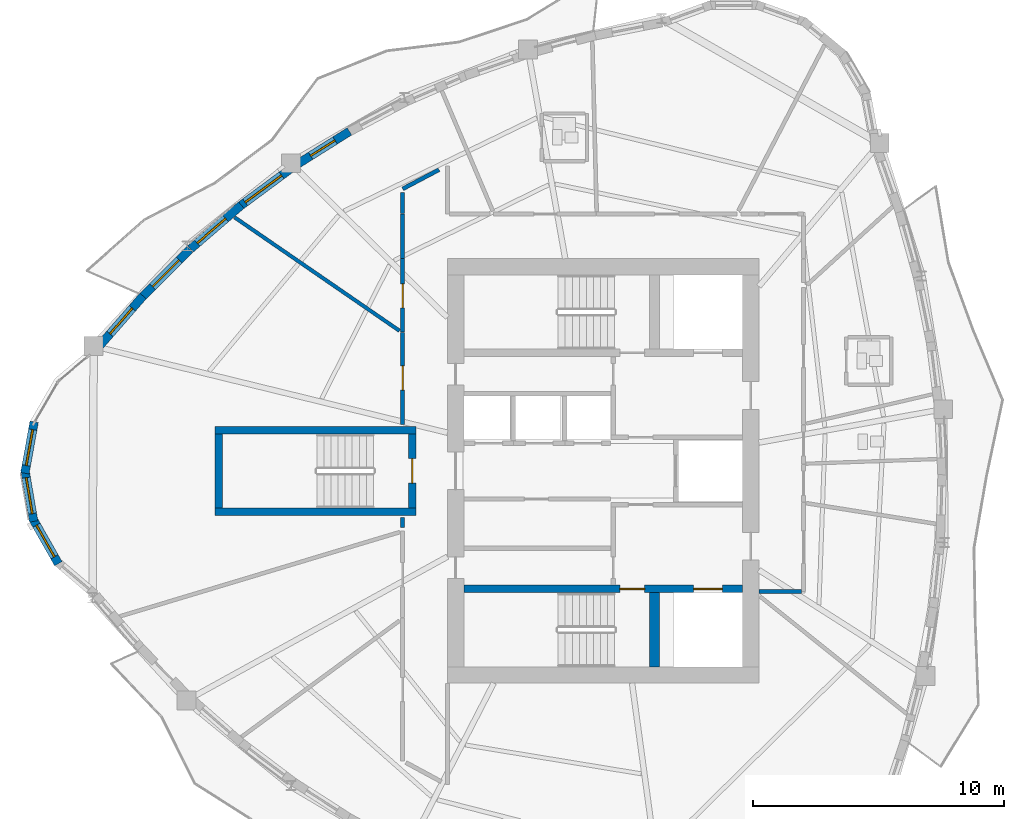
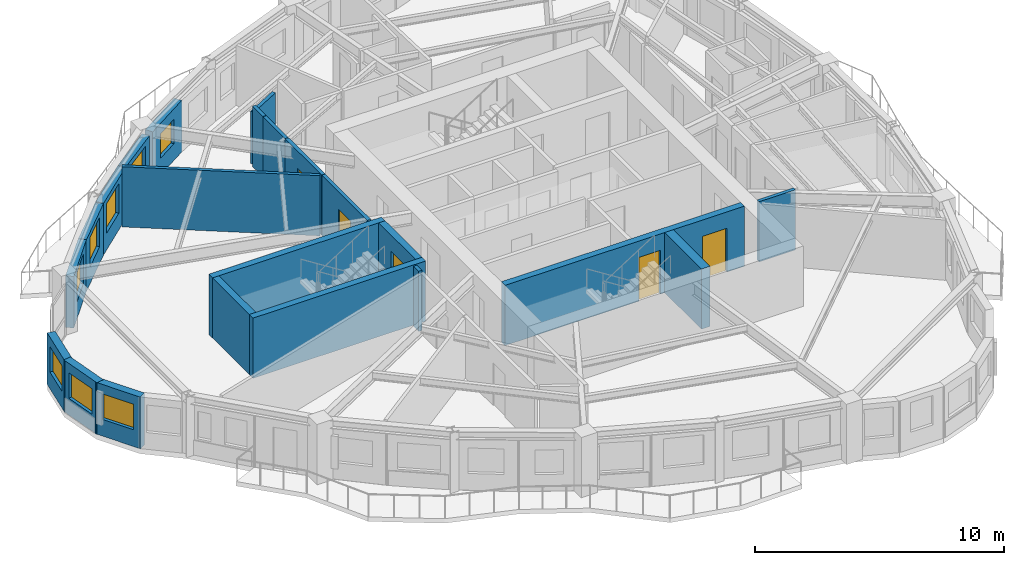
# One storey, part 5 of 13: 22 walls, 8 windows, 5 doors, 13 openings.
"""IFC4 building model written with IfcOpenShell, lengths in metres."""

import ifcopenshell
import ifcopenshell.guid

model = None  # the IFC model being written
_history = None  # IfcOwnerHistory: only IFC2X3 demands one
_inside = {}  # id of a spatial element -> (the spatial element, [elements in it])
_under = {}  # id of a project, library or spatial element -> (it, [spatial elements below it])
_declared = {}  # id of a project -> (the project, [libraries it declares])
_typed = {}  # id of a type object -> (the type object, [elements of that type])
_made_of = {}  # id of a material, layer set ... -> (it, [elements and type objects made of it])


def new_model(schema):
    """Start an empty IFC model of exactly this schema.

    Asked for "IFC4X3", IfcOpenShell would pick the latest addendum, in which some entities
    have other attributes; the version numbers below select the first issue.
    IFC2X3 requires an IfcOwnerHistory on every rooted entity: one is made here for all.
    """
    global model, _history
    if schema == "IFC4X3":
        model = ifcopenshell.file(schema_version=(4, 3, 0, 0))
    else:
        model = ifcopenshell.file(schema=schema)
    _inside.clear()
    _under.clear()
    _declared.clear()
    _typed.clear()
    _made_of.clear()
    _history = None
    if model.schema == "IFC2X3":
        org = make("IfcOrganization", Name="unknown")
        user = make(
            "IfcPersonAndOrganization",
            ThePerson=make("IfcPerson", FamilyName="unknown"),
            TheOrganization=org,
        )
        app = make(
            "IfcApplication",
            ApplicationDeveloper=org,
            Version="unknown",
            ApplicationFullName="unknown",
            ApplicationIdentifier="unknown",
        )
        _history = make(
            "IfcOwnerHistory",
            OwningUser=user,
            OwningApplication=app,
            ChangeAction="ADDED",
            CreationDate=0,
        )
    return model


def make(cls, **values):
    """One entity of the class cls with the attributes given. An attribute that is None is left unset."""
    return model.create_entity(
        cls, **{name: value for name, value in values.items() if value is not None}
    )


def rooted(cls, **values):
    """An entity with a GlobalId (a new one), such as an element, a storey or a relation."""
    return make(cls, GlobalId=ifcopenshell.guid.new(), OwnerHistory=_history, **values)


def si_unit(unit_type, name, prefix=None):
    """IfcSIUnit, for example si_unit("LENGTHUNIT", "METRE", prefix="MILLI")."""
    return make("IfcSIUnit", UnitType=unit_type, Prefix=prefix, Name=name)


def assignment(units):
    """IfcUnitAssignment: the units of a project."""
    return None if units is None else make("IfcUnitAssignment", Units=units)


def point(xyz):
    """IfcCartesianPoint."""
    return None if xyz is None else make("IfcCartesianPoint", Coordinates=xyz)


def direction(xyz):
    """IfcDirection."""
    return None if xyz is None else make("IfcDirection", DirectionRatios=xyz)


def frame(location, z_axis=None, x_axis=None):
    """IfcAxis2Placement3D, a coordinate frame: its origin and axes. An axis left out is left unset."""
    return make(
        "IfcAxis2Placement3D",
        Location=point(location),
        Axis=direction(z_axis),
        RefDirection=direction(x_axis),
    )


def frame_2d(location, x_axis=None):
    """IfcAxis2Placement2D, a coordinate frame in the plane: its origin and x axis."""
    return make(
        "IfcAxis2Placement2D", Location=point(location), RefDirection=direction(x_axis)
    )


def origin():
    """The frame at (0, 0, 0) with its axes left unset."""
    return frame((0.0, 0.0, 0.0))


def place(relative_to, where):
    """IfcLocalPlacement: puts the frame where relative to a parent placement (None: the world)."""
    return make(
        "IfcLocalPlacement", PlacementRelTo=relative_to, RelativePlacement=where
    )


def context(
    kind, dimensions, precision=None, world=None, true_north=None, identifier=None
):
    """IfcGeometricRepresentationContext, for example the 3D "Model" context."""
    return make(
        "IfcGeometricRepresentationContext",
        ContextIdentifier=identifier,
        ContextType=kind,
        CoordinateSpaceDimension=dimensions,
        Precision=precision,
        WorldCoordinateSystem=world,
        TrueNorth=true_north,
    )


def subcontext(parent, identifier, kind, view, scale=None):
    """IfcGeometricRepresentationSubContext, for example "Body" below "Model"."""
    return make(
        "IfcGeometricRepresentationSubContext",
        ContextIdentifier=identifier,
        ContextType=kind,
        ParentContext=parent,
        TargetScale=scale,
        TargetView=view,
    )


def project(units=None, contexts=None):
    """IfcProject with its units and contexts."""
    return rooted(
        "IfcProject",
        Name="project",
        RepresentationContexts=contexts,
        UnitsInContext=assignment(units),
    )


def spatial(cls, under=None, at=None, **own):
    """A site, building, storey or space (cls), placed at a placement, below another one or the project."""
    s = rooted(cls, ObjectPlacement=at, **own)
    if under is not None:
        _under.setdefault(under.id(), (under, []))[1].append(s)
    return s


def profile(cls, at=None, kind="AREA", **sizes):
    """A parametric profile (cls). Its sizes go by their IFC names, for example OverallWidth=200.0."""
    return make(cls, ProfileType=kind, Position=at, **sizes)


def rectangle(**sizes):
    """IfcRectangleProfileDef."""
    return profile("IfcRectangleProfileDef", **sizes)


def extrude(swept, where, along, depth):
    """IfcExtrudedAreaSolid: the profile swept, set in the frame where, extruded along a direction by depth."""
    return make(
        "IfcExtrudedAreaSolid",
        SweptArea=swept,
        Position=where,
        ExtrudedDirection=direction(along),
        Depth=depth,
    )


def shape(context_of_items, identifier, shape_type, items):
    """IfcShapeRepresentation: the items that make up one representation, for example the "Body"."""
    return make(
        "IfcShapeRepresentation",
        ContextOfItems=context_of_items,
        RepresentationIdentifier=identifier,
        RepresentationType=shape_type,
        Items=items,
    )


def source(mapping_origin, context_of_items, identifier, shape_type, items):
    """IfcRepresentationMap: a shape defined once, which mapped items show again and again."""
    return make(
        "IfcRepresentationMap",
        MappingOrigin=mapping_origin,
        MappedRepresentation=shape(context_of_items, identifier, shape_type, items),
    )


def transform(
    local_origin,
    x_axis=None,
    y_axis=None,
    z_axis=None,
    scale=None,
    scale2=None,
    scale3=None,
    uniform=True,
):
    """IfcCartesianTransformationOperator3D, or its non-uniform kind. x_axis, y_axis, z_axis: its Axis1, 2, 3."""
    if uniform:
        return make(
            "IfcCartesianTransformationOperator3D",
            Axis1=direction(x_axis),
            Axis2=direction(y_axis),
            LocalOrigin=point(local_origin),
            Scale=scale,
            Axis3=direction(z_axis),
        )
    return make(
        "IfcCartesianTransformationOperator3DnonUniform",
        Axis1=direction(x_axis),
        Axis2=direction(y_axis),
        LocalOrigin=point(local_origin),
        Scale=scale,
        Axis3=direction(z_axis),
        Scale2=scale2,
        Scale3=scale3,
    )


def mapped(mapping_source, mapping_target):
    """IfcMappedItem: shows the shape of a source again, moved by a transform."""
    return make(
        "IfcMappedItem", MappingSource=mapping_source, MappingTarget=mapping_target
    )


def material(Name=None, Category=None):
    """IfcMaterial."""
    return make("IfcMaterial", Name=Name, Category=Category)


def layer(
    of_material, thickness, ventilated=None, Name=None, Category=None, Priority=None
):
    """IfcMaterialLayer: one layer of a wall or slab, of a material (None: an air gap)."""
    return make(
        "IfcMaterialLayer",
        Material=of_material,
        LayerThickness=thickness,
        IsVentilated=ventilated,
        Name=Name,
        Category=Category,
        Priority=Priority,
    )


def layer_set(layers, Name=None):
    """IfcMaterialLayerSet."""
    return make("IfcMaterialLayerSet", MaterialLayers=layers, LayerSetName=Name)


def made_of(thing, what):
    """Note that an element or type object is made of a material, layer set ...; save() writes the relation."""
    if what is not None:
        _made_of.setdefault(what.id(), (what, []))[1].append(thing)
    return thing


def type_object(cls, material=None, **own):
    """A type object (cls), such as IfcWallType, which elements share."""
    return made_of(rooted(cls, **own), material)


def element(
    cls,
    number,
    at=None,
    inside=None,
    cuts=None,
    type_object=None,
    material=None,
    context=None,
    identifier="Body",
    shape_type=None,
    held_by="IfcProductDefinitionShape",
    body=None,
    shapes=None,
    **own,
):
    """One element of the class cls, such as IfcWall. Its Tag is "e" and its number.

    at: its placement. inside: the storey or other place that contains it. cuts: it is an
    opening in that element (IfcRelVoidsElement). A single representation is given by context,
    identifier, shape_type and body (its items); several are given by shapes. held_by: the class
    of the entity that holds the representations. save() writes the other relations.
    """
    e = rooted(cls, Tag="e%d" % number, ObjectPlacement=at, **own)
    if body is not None:
        shapes = [shape(context, identifier, shape_type, body)]
    if shapes is not None:
        e.Representation = make(held_by, Representations=shapes)
    if inside is not None:
        _inside.setdefault(inside.id(), (inside, []))[1].append(e)
    if cuts is not None:
        rooted(
            "IfcRelVoidsElement", RelatingBuildingElement=cuts, RelatedOpeningElement=e
        )
    if type_object is not None:
        _typed.setdefault(type_object.id(), (type_object, []))[1].append(e)
    return made_of(e, material)


def fill(opening, filler):
    """IfcRelFillsElement: the door or window that sits in an opening."""
    return rooted(
        "IfcRelFillsElement",
        RelatingOpeningElement=opening,
        RelatedBuildingElement=filler,
    )


def aggregate(whole, parts):
    """IfcRelAggregates: a whole, such as a stair, and the parts it consists of."""
    return rooted("IfcRelAggregates", RelatingObject=whole, RelatedObjects=parts)


def save(model, path):
    """Write the relations noted so far, then the file.

    IfcRelAggregates (storeys below a building ...), IfcRelContainedInSpatialStructure (elements
    in a storey), IfcRelDefinesByType, IfcRelAssociatesMaterial and IfcRelDeclares: one each for
    every whole, place, type object, material and project.
    """
    for whole, parts in _under.values():
        aggregate(whole, parts)
    for where, things in _inside.values():
        rooted(
            "IfcRelContainedInSpatialStructure",
            RelatedElements=things,
            RelatingStructure=where,
        )
    for kind, things in _typed.values():
        rooted("IfcRelDefinesByType", RelatedObjects=things, RelatingType=kind)
    for what, things in _made_of.values():
        rooted("IfcRelAssociatesMaterial", RelatedObjects=things, RelatingMaterial=what)
    for by, libraries in _declared.values():
        rooted("IfcRelDeclares", RelatingContext=by, RelatedDefinitions=libraries)
    model.write(path)


model = new_model("IFC4")

# Units and contexts
model_context = context("Model", 3, precision=1e-05, world=origin(), true_north=direction((0.0, 1.0)))
body_context = subcontext(model_context, "Body", "Model", "MODEL_VIEW")
ifc_project = project(units=[si_unit("LENGTHUNIT", "METRE"), si_unit("AREAUNIT", "SQUARE_METRE"), si_unit("VOLUMEUNIT", "CUBIC_METRE"), si_unit("PLANEANGLEUNIT", "RADIAN"), si_unit("MASSUNIT", "GRAM", prefix="KILO")], contexts=[model_context])

# Site, building, storey
site_placement = place(None, origin())
site = spatial("IfcSite", under=ifc_project, at=site_placement, CompositionType="ELEMENT")
building_placement = place(site_placement, origin())
building = spatial("IfcBuilding", under=site, at=building_placement, Name="Qafzar Sky-Pleat Residences", CompositionType="ELEMENT")
storey_placement = place(building_placement, frame((0.0, 0.0, 136.199951171875)))
storey = spatial("IfcBuildingStorey", under=building, at=storey_placement, Name="L40", CompositionType="ELEMENT", Elevation=136.199951171875)

# Wall, opening, door
ifc_material_1 = material(Name="Acoustic gypsum plasterboard partition", Category="gypsum")
ifc_layer_1 = layer(ifc_material_1, 0.159912109375)
ifc_layer_set_1 = layer_set([ifc_layer_1], Name="Acoustic gypsum plasterboard partition")
wall_type_1 = type_object("IfcWallType", Name="PART-COR-160", PredefinedType="PARTITIONING", material=ifc_layer_set_1)
wall_1_placement = place(storey_placement, frame((22.3701171875, 27.85009765625, 0.0), z_axis=(0.0, 0.0, 1.0), x_axis=(0.0, 1.0, 0.0)))
wall_1 = element("IfcWall", 1, at=wall_1_placement, inside=storey, type_object=wall_type_1, Name="L40 Partition Wall PART-L40-PW-005", PredefinedType="PARTITIONING", context=body_context, shape_type="SweptSolid", body=[
    extrude(rectangle(XDim=3.657958984375, YDim=0.159912109375, at=frame_2d((1.8291015625, 0.0))), origin(), (0.0, 0.0, 1.0), 2.949951171875),
])
opening_1_placement = place(wall_1_placement, frame((1.368896484375, 0.0, 0.0)))
opening_1 = element("IfcOpeningElement", 2, at=opening_1_placement, cuts=wall_1, Name="Opening ID-06", PredefinedType="OPENING", context=body_context, shape_type="SweptSolid", body=[
    extrude(rectangle(XDim=0.9599609375, YDim=2.10009765625, at=frame_2d((0.47998046875, 1.050048828125))), frame((0.0, 0.08984375, 0.0), z_axis=(0.0, -1.0, 0.0), x_axis=(1.0, 0.0, 0.0)), (0.0, 0.0, 1.0), 0.179931640625),
])
ifc_material_2 = material(Name="Timber-faced fire door", Category="wood")
door_type_1 = type_object("IfcDoorType", Name="DR-STD-960", OperationType="NOTDEFINED", PredefinedType="DOOR", material=ifc_material_2)
shared_shape_1 = source(origin(), body_context, "Body", "SweptSolid", [
    extrude(rectangle(XDim=0.9599609375, YDim=2.10009765625, at=frame_2d((0.47998046875, 1.050048828125))), frame((0.0, 0.02490234375, 0.0), z_axis=(0.0, -1.0, 0.0), x_axis=(1.0, 0.0, 0.0)), (0.0, 0.0, 1.0), 0.050048828125),
])
door_1_placement = place(opening_1_placement, origin())
door_1 = element("IfcDoor", 3, at=door_1_placement, inside=storey, type_object=door_type_1, Name="L40 Faculty Research Office Door", OperationType="SINGLE_SWING_RIGHT", OverallHeight=2.10009765625, OverallWidth=0.9599609375, PredefinedType="DOOR", context=body_context, shape_type="MappedRepresentation", body=[
    mapped(shared_shape_1, transform((0.0, 0.0, 0.0), x_axis=(1.0, 0.0, 0.0), y_axis=(0.0, 1.0, 0.0), z_axis=(0.0, 0.0, 1.0), scale=1.0)),
])
fill(opening_1, door_1)

wall_2_placement = place(storey_placement, frame((22.3701171875, 31.52294921875, 0.0), z_axis=(0.0, 0.0, 1.0), x_axis=(0.0, 1.0, 0.0)))
wall_2 = element("IfcWall", 4, at=wall_2_placement, inside=storey, type_object=wall_type_1, Name="L40 Partition Wall PART-L40-PW-008", PredefinedType="PARTITIONING", context=body_context, shape_type="SweptSolid", body=[
    extrude(rectangle(XDim=2.927001953125, YDim=0.159912109375, at=frame_2d((1.46337890625, 0.0))), origin(), (0.0, 0.0, 1.0), 2.949951171875),
])
opening_2_placement = place(wall_2_placement, frame((0.966552734375, 0.0, 0.0)))
opening_2 = element("IfcOpeningElement", 5, at=opening_2_placement, cuts=wall_2, Name="Opening ID-06", PredefinedType="OPENING", context=body_context, shape_type="SweptSolid", body=[
    extrude(rectangle(XDim=0.9599609375, YDim=2.10009765625, at=frame_2d((0.47998046875, 1.050048828125))), frame((0.0, 0.08984375, 0.0), z_axis=(0.0, -1.0, 0.0), x_axis=(1.0, 0.0, 0.0)), (0.0, 0.0, 1.0), 0.179931640625),
])
door_2_placement = place(opening_2_placement, origin())
door_2 = element("IfcDoor", 6, at=door_2_placement, inside=storey, type_object=door_type_1, Name="L40 Media Screening Room Door", OperationType="SINGLE_SWING_RIGHT", OverallHeight=2.10009765625, OverallWidth=0.9599609375, PredefinedType="DOOR", context=body_context, shape_type="MappedRepresentation", body=[
    mapped(shared_shape_1, transform((0.0, 0.0, 0.0), x_axis=(1.0, 0.0, 0.0), y_axis=(0.0, 1.0, 0.0), z_axis=(0.0, 0.0, 1.0), scale=1.0)),
])
fill(opening_2, door_2)

# Walls
wall_3_placement = place(storey_placement, frame((36.55810546875, 21.199951171875, 0.0), z_axis=(0.0, 0.0, 1.0), x_axis=(1.0, 0.0, 0.0)))
element("IfcWall", 7, at=wall_3_placement, inside=storey, type_object=wall_type_1, Name="L40 Partition Wall PART-L40-PW-034", PredefinedType="PARTITIONING", context=body_context, shape_type="SweptSolid", body=[
    extrude(rectangle(XDim=1.683837890625, YDim=0.159912109375, at=frame_2d((0.841796875, 0.0))), origin(), (0.0, 0.0, 1.0), 2.949951171875),
])
wall_4_placement = place(storey_placement, frame((22.3701171875, 34.465087890625, 0.0), z_axis=(0.0, 0.0, 1.0), x_axis=(0.0, 1.0, 0.0)))
element("IfcWall", 8, at=wall_4_placement, inside=storey, type_object=wall_type_1, Name="L40 Partition Wall PART-L40-PW-036", PredefinedType="PARTITIONING", context=body_context, shape_type="SweptSolid", body=[
    extrude(rectangle(XDim=1.764892578125, YDim=0.159912109375, at=frame_2d((0.88232421875, 0.0))), origin(), (0.0, 0.0, 1.0), 2.949951171875),
])
wall_5_placement = place(storey_placement, frame((22.3701171875, 37.22802734375, 0.0), z_axis=(0.0, 0.0, 1.0), x_axis=(0.884271493782, 0.466973152638, 0.0)))
element("IfcWall", 9, at=wall_5_placement, inside=storey, type_object=wall_type_1, Name="L40 Partition Wall PART-L40-PW-038", PredefinedType="PARTITIONING", context=body_context, shape_type="SweptSolid", body=[
    extrude(rectangle(XDim=1.631591796875, YDim=0.159912109375, at=frame_2d((0.81591796875, 0.0))), origin(), (0.0, 0.0, 1.0), 2.55810546875),
])
wall_6_placement = place(storey_placement, frame((22.3701171875, 36.2451171875, 0.0), z_axis=(0.0, 0.0, 1.0), x_axis=(0.0, 1.0, 0.0)))
element("IfcWall", 10, at=wall_6_placement, inside=storey, type_object=wall_type_1, Name="L40 Partition Wall PART-L40-PW-040", PredefinedType="PARTITIONING", context=body_context, shape_type="SweptSolid", body=[
    extrude(rectangle(XDim=0.84228515625, YDim=0.159912109375, at=frame_2d((0.421142578125, 0.0))), origin(), (0.0, 0.0, 1.0), 2.949951171875),
])
wall_7_placement = place(storey_placement, frame((22.3701171875, 23.73583984375, 0.0), z_axis=(0.0, 0.0, 1.0), x_axis=(0.0, 1.0, 0.0)))
element("IfcWall", 11, at=wall_7_placement, inside=storey, type_object=wall_type_1, Name="L40 Partition Wall PART-L40-PW-042", PredefinedType="PARTITIONING", context=body_context, shape_type="SweptSolid", body=[
    extrude(rectangle(XDim=0.4140625, YDim=0.159912109375, at=frame_2d((0.20703125, 0.0))), origin(), (0.0, 0.0, 1.0), 2.949951171875),
])
ifc_layer_2 = layer(ifc_material_1, 0.14501953125)
ifc_layer_set_2 = layer_set([ifc_layer_2], Name="Acoustic gypsum plasterboard partition")
wall_type_2 = type_object("IfcWallType", Name="PART-UNIT-145", PredefinedType="PARTITIONING", material=ifc_layer_set_2)
wall_8_placement = place(storey_placement, frame((15.677001953125, 36.093505859375, 0.0), z_axis=(0.0, 0.0, 1.0), x_axis=(0.823863992983, -0.566787544911, 0.0)))
element("IfcWall", 12, at=wall_8_placement, inside=storey, type_object=wall_type_2, Name="L40 Partition Wall PART-L40-PW-015", PredefinedType="PARTITIONING", context=body_context, shape_type="SweptSolid", body=[
    extrude(rectangle(XDim=7.96875, YDim=0.14501953125, at=frame_2d((3.984375, 0.0))), origin(), (0.0, 0.0, 1.0), 2.949951171875),
])

# Wall, opening, window
ifc_material_3 = material(Name="Precast concrete C40/50 with honed Riyadh limestone", Category="concrete")
ifc_layer_3 = layer(ifc_material_3, 0.340087890625)
ifc_layer_set_3 = layer_set([ifc_layer_3], Name="Precast concrete C40/50 with honed Riyadh limestone")
wall_type_3 = type_object("IfcWallType", Name="WALL-EXT-340", PredefinedType="SOLIDWALL", material=ifc_layer_set_3)
wall_9_placement = place(storey_placement, frame((7.6943359375, 27.952880859375, 0.0), z_axis=(0.0, 0.0, 1.0), x_axis=(-0.177605215389, -0.984101817632, 0.0)))
wall_9 = element("IfcWall", 13, at=wall_9_placement, inside=storey, type_object=wall_type_3, Name="L40 Limestone Facade Wall 3", PredefinedType="SOLIDWALL", context=body_context, shape_type="SweptSolid", body=[
    extrude(rectangle(XDim=2.081298828125, YDim=0.340087890625, at=frame_2d((1.04052734375, 0.0))), origin(), (0.0, 0.0, 1.0), 2.530029296875),
])
opening_3_placement = place(wall_9_placement, frame((0.315673828125, 0.0, 0.820068359375)))
opening_3 = element("IfcOpeningElement", 14, at=opening_3_placement, cuts=wall_9, Name="Opening WN-15", PredefinedType="OPENING", context=body_context, shape_type="SweptSolid", body=[
    extrude(rectangle(XDim=1.449951171875, YDim=1.25, at=frame_2d((0.72509765625, 0.625))), frame((0.0, 0.18017578125, 0.0), z_axis=(0.0, -1.0, 0.0), x_axis=(1.0, 0.0, 0.0)), (0.0, 0.0, 1.0), 0.360107421875),
])
ifc_material_4 = material(Name="Solar-control low-E glass in bronze aluminium frame", Category="glass")
window_type_1 = type_object("IfcWindowType", Name="WIN-15", PartitioningType="SINGLE_PANEL", PredefinedType="WINDOW", material=ifc_material_4)
shared_shape_2 = source(origin(), body_context, "Body", "SweptSolid", [
    extrude(rectangle(XDim=1.449951171875, YDim=1.25, at=frame_2d((0.72509765625, 0.625))), frame((0.0, 0.030029296875, 0.0), z_axis=(0.0, -1.0, 0.0), x_axis=(1.0, 0.0, 0.0)), (0.0, 0.0, 1.0), 0.06005859375),
])
window_1_placement = place(opening_3_placement, origin())
window_1 = element("IfcWindow", 15, at=window_1_placement, inside=storey, type_object=window_type_1, Name="L40 Punched Facade Window 03", OverallHeight=1.25, OverallWidth=1.449951171875, PartitioningType="SINGLE_PANEL", PredefinedType="WINDOW", context=body_context, shape_type="MappedRepresentation", body=[
    mapped(shared_shape_2, transform((0.0, 0.0, 0.0), x_axis=(1.0, 0.0, 0.0), y_axis=(0.0, 1.0, 0.0), z_axis=(0.0, 0.0, 1.0), scale=1.0)),
])
fill(opening_3, window_1)

wall_10_placement = place(storey_placement, frame((7.325439453125, 26.03857421875, 0.0), z_axis=(0.0, 0.0, 1.0), x_axis=(0.168107405166, -0.985768685001, 0.0)))
wall_10 = element("IfcWall", 16, at=wall_10_placement, inside=storey, type_object=wall_type_3, Name="L40 Limestone Facade Wall 4", PredefinedType="SOLIDWALL", context=body_context, shape_type="SweptSolid", body=[
    extrude(rectangle(XDim=2.0810546875, YDim=0.340087890625, at=frame_2d((1.04052734375, 0.0))), origin(), (0.0, 0.0, 1.0), 2.530029296875),
])
opening_4_placement = place(wall_10_placement, frame((0.315673828125, 0.0, 0.820068359375)))
opening_4 = element("IfcOpeningElement", 17, at=opening_4_placement, cuts=wall_10, Name="Opening WN-15", PredefinedType="OPENING", context=body_context, shape_type="SweptSolid", body=[
    extrude(rectangle(XDim=1.449951171875, YDim=1.25, at=frame_2d((0.72509765625, 0.625))), frame((0.0, 0.18017578125, 0.0), z_axis=(0.0, -1.0, 0.0), x_axis=(1.0, 0.0, 0.0)), (0.0, 0.0, 1.0), 0.360107421875),
])
window_2_placement = place(opening_4_placement, origin())
window_2 = element("IfcWindow", 18, at=window_2_placement, inside=storey, type_object=window_type_1, Name="L40 Punched Facade Window 04", OverallHeight=1.25, OverallWidth=1.449951171875, PartitioningType="SINGLE_PANEL", PredefinedType="WINDOW", context=body_context, shape_type="MappedRepresentation", body=[
    mapped(shared_shape_2, transform((0.0, 0.0, 0.0), x_axis=(1.0, 0.0, 0.0), y_axis=(0.0, 1.0, 0.0), z_axis=(0.0, 0.0, 1.0), scale=1.0)),
])
fill(opening_4, window_2)

wall_11_placement = place(storey_placement, frame((7.63037109375, 24.11279296875, 0.0), z_axis=(0.0, 0.0, 1.0), x_axis=(0.49374939324, -0.869604241408, 0.0)))
wall_11 = element("IfcWall", 19, at=wall_11_placement, inside=storey, type_object=wall_type_3, Name="L40 Limestone Facade Wall 5", PredefinedType="SOLIDWALL", context=body_context, shape_type="SweptSolid", body=[
    extrude(rectangle(XDim=2.081298828125, YDim=0.340087890625, at=frame_2d((1.04052734375, 0.0))), origin(), (0.0, 0.0, 1.0), 2.530029296875),
])
opening_5_placement = place(wall_11_placement, frame((0.315673828125, 0.0, 0.820068359375)))
opening_5 = element("IfcOpeningElement", 20, at=opening_5_placement, cuts=wall_11, Name="Opening WN-15", PredefinedType="OPENING", context=body_context, shape_type="SweptSolid", body=[
    extrude(rectangle(XDim=1.449951171875, YDim=1.25, at=frame_2d((0.72509765625, 0.625))), frame((0.0, 0.18017578125, 0.0), z_axis=(0.0, -1.0, 0.0), x_axis=(1.0, 0.0, 0.0)), (0.0, 0.0, 1.0), 0.360107421875),
])
window_3_placement = place(opening_5_placement, origin())
window_3 = element("IfcWindow", 21, at=window_3_placement, inside=storey, type_object=window_type_1, Name="L40 Punched Facade Window 05", OverallHeight=1.25, OverallWidth=1.449951171875, PartitioningType="SINGLE_PANEL", PredefinedType="WINDOW", context=body_context, shape_type="MappedRepresentation", body=[
    mapped(shared_shape_2, transform((0.0, 0.0, 0.0), x_axis=(1.0, 0.0, 0.0), y_axis=(0.0, 1.0, 0.0), z_axis=(0.0, 0.0, 1.0), scale=1.0)),
])
fill(opening_5, window_3)

wall_12_placement = place(storey_placement, frame((20.248046875, 39.515625, 0.0), z_axis=(0.0, 0.0, 1.0), x_axis=(-0.846438698205, -0.532486178394, 0.0)))
wall_12 = element("IfcWall", 22, at=wall_12_placement, inside=storey, type_object=wall_type_3, Name="L40 Limestone Facade Wall 44", PredefinedType="SOLIDWALL", context=body_context, shape_type="SweptSolid", body=[
    extrude(rectangle(XDim=2.49462890625, YDim=0.340087890625, at=frame_2d((1.247314453125, 0.0))), origin(), (0.0, 0.0, 1.0), 2.530029296875),
])
opening_6_placement = place(wall_12_placement, frame((0.677490234375, 0.0, 0.820068359375)))
opening_6 = element("IfcOpeningElement", 23, at=opening_6_placement, cuts=wall_12, Name="Opening WN-16", PredefinedType="OPENING", context=body_context, shape_type="SweptSolid", body=[
    extrude(rectangle(XDim=1.14990234375, YDim=1.199951171875, at=frame_2d((0.574951171875, 0.60009765625))), frame((0.0, 0.18017578125, 0.0), z_axis=(0.0, -1.0, 0.0), x_axis=(1.0, 0.0, 0.0)), (0.0, 0.0, 1.0), 0.360107421875),
])
window_type_2 = type_object("IfcWindowType", Name="WIN-16", PartitioningType="SINGLE_PANEL", PredefinedType="WINDOW", material=ifc_material_4)
shared_shape_3 = source(origin(), body_context, "Body", "SweptSolid", [
    extrude(rectangle(XDim=1.14990234375, YDim=1.199951171875, at=frame_2d((0.574951171875, 0.60009765625))), frame((0.0, 0.030029296875, 0.0), z_axis=(0.0, -1.0, 0.0), x_axis=(1.0, 0.0, 0.0)), (0.0, 0.0, 1.0), 0.06005859375),
])
window_4_placement = place(opening_6_placement, origin())
window_4 = element("IfcWindow", 24, at=window_4_placement, inside=storey, type_object=window_type_2, Name="L40 Punched Facade Window 44", OverallHeight=1.199951171875, OverallWidth=1.14990234375, PartitioningType="SINGLE_PANEL", PredefinedType="WINDOW", context=body_context, shape_type="MappedRepresentation", body=[
    mapped(shared_shape_3, transform((0.0, 0.0, 0.0), x_axis=(1.0, 0.0, 0.0), y_axis=(0.0, 1.0, 0.0), z_axis=(0.0, 0.0, 1.0), scale=1.0)),
])
fill(opening_6, window_4)

wall_13_placement = place(storey_placement, frame((17.89111328125, 38.01953125, 0.0), z_axis=(0.0, 0.0, 1.0), x_axis=(-0.803824223013, -0.594866891411, 0.0)))
wall_13 = element("IfcWall", 25, at=wall_13_placement, inside=storey, type_object=wall_type_3, Name="L40 Limestone Facade Wall 45", PredefinedType="SOLIDWALL", context=body_context, shape_type="SweptSolid", body=[
    extrude(rectangle(XDim=2.509765625, YDim=0.340087890625, at=frame_2d((1.2548828125, 0.0))), origin(), (0.0, 0.0, 1.0), 2.530029296875),
])
opening_7_placement = place(wall_13_placement, frame((0.429931640625, 0.0, 0.820068359375)))
opening_7 = element("IfcOpeningElement", 26, at=opening_7_placement, cuts=wall_13, Name="Opening WN-01", PredefinedType="OPENING", context=body_context, shape_type="SweptSolid", body=[
    extrude(rectangle(XDim=1.800048828125, YDim=1.449951171875, at=frame_2d((0.89990234375, 0.72509765625))), frame((0.0, 0.18017578125, 0.0), z_axis=(0.0, -1.0, 0.0), x_axis=(1.0, 0.0, 0.0)), (0.0, 0.0, 1.0), 0.360107421875),
])
window_type_3 = type_object("IfcWindowType", Name="WIN-01", PartitioningType="DOUBLE_PANEL_VERTICAL", PredefinedType="WINDOW", material=ifc_material_4)
shared_shape_4 = source(origin(), body_context, "Body", "SweptSolid", [
    extrude(rectangle(XDim=1.800048828125, YDim=1.449951171875, at=frame_2d((0.89990234375, 0.72509765625))), frame((0.0, 0.030029296875, 0.0), z_axis=(0.0, -1.0, 0.0), x_axis=(1.0, 0.0, 0.0)), (0.0, 0.0, 1.0), 0.06005859375),
])
window_5_placement = place(opening_7_placement, origin())
window_5 = element("IfcWindow", 27, at=window_5_placement, inside=storey, type_object=window_type_3, Name="L40 Punched Facade Window 45", OverallHeight=1.449951171875, OverallWidth=1.800048828125, PartitioningType="SINGLE_PANEL", PredefinedType="WINDOW", context=body_context, shape_type="MappedRepresentation", body=[
    mapped(shared_shape_4, transform((0.0, 0.0, 0.0), x_axis=(1.0, 0.0, 0.0), y_axis=(0.0, 1.0, 0.0), z_axis=(0.0, 0.0, 1.0), scale=1.0)),
])
fill(opening_7, window_5)

wall_14_placement = place(storey_placement, frame((15.943115234375, 36.581787109375, 0.0), z_axis=(0.0, 0.0, 1.0), x_axis=(-0.757520482063, -0.652811396389, 0.0)))
wall_14 = element("IfcWall", 28, at=wall_14_placement, inside=storey, type_object=wall_type_3, Name="L40 Limestone Facade Wall 46", PredefinedType="SOLIDWALL", context=body_context, shape_type="SweptSolid", body=[
    extrude(rectangle(XDim=2.67431640625, YDim=0.340087890625, at=frame_2d((1.337158203125, 0.0))), origin(), (0.0, 0.0, 1.0), 2.530029296875),
])
opening_8_placement = place(wall_14_placement, frame((0.822265625, 0.0, 0.820068359375)))
opening_8 = element("IfcOpeningElement", 29, at=opening_8_placement, cuts=wall_14, Name="Opening WN-03", PredefinedType="OPENING", context=body_context, shape_type="SweptSolid", body=[
    extrude(rectangle(XDim=1.5, YDim=1.449951171875, at=frame_2d((0.75, 0.72509765625))), frame((0.0, 0.18017578125, 0.0), z_axis=(0.0, -1.0, 0.0), x_axis=(1.0, 0.0, 0.0)), (0.0, 0.0, 1.0), 0.360107421875),
])
window_type_4 = type_object("IfcWindowType", Name="WIN-03", PartitioningType="DOUBLE_PANEL_VERTICAL", PredefinedType="WINDOW", material=ifc_material_4)
shared_shape_5 = source(origin(), body_context, "Body", "SweptSolid", [
    extrude(rectangle(XDim=1.5, YDim=1.449951171875, at=frame_2d((0.75, 0.72509765625))), frame((0.0, 0.030029296875, 0.0), z_axis=(0.0, -1.0, 0.0), x_axis=(1.0, 0.0, 0.0)), (0.0, 0.0, 1.0), 0.06005859375),
])
window_6_placement = place(opening_8_placement, origin())
window_6 = element("IfcWindow", 30, at=window_6_placement, inside=storey, type_object=window_type_4, Name="L40 Punched Facade Window 46-2", OverallHeight=1.449951171875, OverallWidth=1.5, PartitioningType="SINGLE_PANEL", PredefinedType="WINDOW", context=body_context, shape_type="MappedRepresentation", body=[
    mapped(shared_shape_5, transform((0.0, 0.0, 0.0), x_axis=(1.0, 0.0, 0.0), y_axis=(0.0, 1.0, 0.0), z_axis=(0.0, 0.0, 1.0), scale=1.0)),
])
fill(opening_8, window_6)

wall_15_placement = place(storey_placement, frame((13.89697265625, 34.817138671875, 0.0), z_axis=(0.0, 0.0, 1.0), x_axis=(-0.708362899886, -0.705848427118, 0.0)))
wall_15 = element("IfcWall", 31, at=wall_15_placement, inside=storey, type_object=wall_type_3, Name="L40 Limestone Facade Wall 47", PredefinedType="SOLIDWALL", context=body_context, shape_type="SweptSolid", body=[
    extrude(rectangle(XDim=2.71875, YDim=0.340087890625, at=frame_2d((1.359375, 0.0))), origin(), (0.0, 0.0, 1.0), 2.530029296875),
])
opening_9_placement = place(wall_15_placement, frame((0.599365234375, 0.0, 0.820068359375)))
opening_9 = element("IfcOpeningElement", 32, at=opening_9_placement, cuts=wall_15, Name="Opening WN-03", PredefinedType="OPENING", context=body_context, shape_type="SweptSolid", body=[
    extrude(rectangle(XDim=1.5, YDim=1.449951171875, at=frame_2d((0.75, 0.72509765625))), frame((0.0, 0.18017578125, 0.0), z_axis=(0.0, -1.0, 0.0), x_axis=(1.0, 0.0, 0.0)), (0.0, 0.0, 1.0), 0.360107421875),
])
window_7_placement = place(opening_9_placement, origin())
window_7 = element("IfcWindow", 33, at=window_7_placement, inside=storey, type_object=window_type_4, Name="L40 Punched Facade Window 47", OverallHeight=1.449951171875, OverallWidth=1.5, PartitioningType="SINGLE_PANEL", PredefinedType="WINDOW", context=body_context, shape_type="MappedRepresentation", body=[
    mapped(shared_shape_5, transform((0.0, 0.0, 0.0), x_axis=(1.0, 0.0, 0.0), y_axis=(0.0, 1.0, 0.0), z_axis=(0.0, 0.0, 1.0), scale=1.0)),
])
fill(opening_9, window_7)

wall_16_placement = place(storey_placement, frame((12.031005859375, 32.96240234375, 0.0), z_axis=(0.0, 0.0, 1.0), x_axis=(-0.65760102664, -0.753366371537, 0.0)))
wall_16 = element("IfcWall", 34, at=wall_16_placement, inside=storey, type_object=wall_type_3, Name="L40 Limestone Facade Wall 48", PredefinedType="SOLIDWALL", context=body_context, shape_type="SweptSolid", body=[
    extrude(rectangle(XDim=2.64111328125, YDim=0.340087890625, at=frame_2d((1.320556640625, 0.0))), origin(), (0.0, 0.0, 1.0), 2.530029296875),
])
opening_10_placement = place(wall_16_placement, frame((0.650634765625, 0.0, 0.820068359375)))
opening_10 = element("IfcOpeningElement", 35, at=opening_10_placement, cuts=wall_16, Name="Opening WN-04", PredefinedType="OPENING", context=body_context, shape_type="SweptSolid", body=[
    extrude(rectangle(XDim=1.35009765625, YDim=1.449951171875, at=frame_2d((0.675048828125, 0.72509765625))), frame((0.0, 0.18017578125, 0.0), z_axis=(0.0, -1.0, 0.0), x_axis=(1.0, 0.0, 0.0)), (0.0, 0.0, 1.0), 0.360107421875),
])
window_type_5 = type_object("IfcWindowType", Name="WIN-04", PartitioningType="SINGLE_PANEL", PredefinedType="WINDOW", material=ifc_material_4)
shared_shape_6 = source(origin(), body_context, "Body", "SweptSolid", [
    extrude(rectangle(XDim=1.35009765625, YDim=1.449951171875, at=frame_2d((0.675048828125, 0.72509765625))), frame((0.0, 0.030029296875, 0.0), z_axis=(0.0, -1.0, 0.0), x_axis=(1.0, 0.0, 0.0)), (0.0, 0.0, 1.0), 0.06005859375),
])
window_8_placement = place(opening_10_placement, origin())
window_8 = element("IfcWindow", 36, at=window_8_placement, inside=storey, type_object=window_type_5, Name="L40 Punched Facade Window 48", OverallHeight=1.449951171875, OverallWidth=1.35009765625, PartitioningType="SINGLE_PANEL", PredefinedType="WINDOW", context=body_context, shape_type="MappedRepresentation", body=[
    mapped(shared_shape_6, transform((0.0, 0.0, 0.0), x_axis=(1.0, 0.0, 0.0), y_axis=(0.0, 1.0, 0.0), z_axis=(0.0, 0.0, 1.0), scale=1.0)),
])
fill(opening_10, window_8)

# Wall, openings, doors
ifc_material_5 = material(Name="Concrete C60/75", Category="concrete")
ifc_layer_4 = layer(ifc_material_5, 0.300048828125)
ifc_layer_set_4 = layer_set([ifc_layer_4], Name="Concrete C60/75")
wall_type_4 = type_object("IfcWallType", Name="WALL-SHEAR-300", PredefinedType="SHEAR", material=ifc_layer_set_4)
wall_17_placement = place(storey_placement, frame((24.800048828125, 21.300048828125, 0.0), z_axis=(0.0, 0.0, 1.0), x_axis=(1.0, 0.0, 0.0)))
wall_17 = element("IfcWall", 37, at=wall_17_placement, inside=storey, type_object=wall_type_4, Name="L40 Stair ST1 and FF1 Shaft North Wall", PredefinedType="SHEAR", context=body_context, shape_type="SweptSolid", body=[
    extrude(rectangle(XDim=11.099853515625, YDim=0.300048828125, at=frame_2d((5.5498046875, 0.0))), origin(), (0.0, 0.0, 1.0), 2.949951171875),
])
opening_11_placement = place(wall_17_placement, frame((6.219970703125, 0.0, 0.0)))
opening_11 = element("IfcOpeningElement", 38, at=opening_11_placement, cuts=wall_17, Name="Opening ID-01", PredefinedType="OPENING", context=body_context, shape_type="SweptSolid", body=[
    extrude(rectangle(XDim=0.97998046875, YDim=2.14990234375, at=frame_2d((0.489990234375, 1.074951171875))), frame((0.0, 0.16015625, 0.0), z_axis=(0.0, -1.0, 0.0), x_axis=(1.0, 0.0, 0.0)), (0.0, 0.0, 1.0), 0.320068359375),
])
opening_12_placement = place(wall_17_placement, frame((9.14990234375, 0.0, 0.0)))
opening_12 = element("IfcOpeningElement", 39, at=opening_12_placement, cuts=wall_17, Name="Opening LD-02", PredefinedType="OPENING", context=body_context, shape_type="SweptSolid", body=[
    extrude(rectangle(XDim=1.14990234375, YDim=2.14990234375, at=frame_2d((0.574951171875, 1.074951171875))), frame((0.0, 0.16015625, 0.0), z_axis=(0.0, -1.0, 0.0), x_axis=(1.0, 0.0, 0.0)), (0.0, 0.0, 1.0), 0.320068359375),
])
door_type_2 = type_object("IfcDoorType", Name="DR-STAIR-980", OperationType="NOTDEFINED", PredefinedType="DOOR", material=ifc_material_2)
shared_shape_7 = source(origin(), body_context, "Body", "SweptSolid", [
    extrude(rectangle(XDim=0.97998046875, YDim=2.14990234375, at=frame_2d((0.489990234375, 1.074951171875))), frame((0.0, 0.02490234375, 0.0), z_axis=(0.0, -1.0, 0.0), x_axis=(1.0, 0.0, 0.0)), (0.0, 0.0, 1.0), 0.050048828125),
])
door_3_placement = place(opening_11_placement, origin())
door_3 = element("IfcDoor", 40, at=door_3_placement, inside=storey, type_object=door_type_2, Name="L40 Stair ST1 Fire Door", OperationType="SINGLE_SWING_RIGHT", OverallHeight=2.14990234375, OverallWidth=0.97998046875, PredefinedType="DOOR", context=body_context, shape_type="MappedRepresentation", body=[
    mapped(shared_shape_7, transform((0.0, 0.0, 0.0), x_axis=(1.0, 0.0, 0.0), y_axis=(0.0, 1.0, 0.0), z_axis=(0.0, 0.0, 1.0), scale=1.0)),
])
fill(opening_11, door_3)
ifc_material_6 = material(Name="Stainless steel sliding landing door", Category="steel")
door_type_3 = type_object("IfcDoorType", Name="DR-LIFT-FF", OperationType="DOUBLE_DOOR_SLIDING", PredefinedType="DOOR", material=ifc_material_6)
shared_shape_8 = source(origin(), body_context, "Body", "SweptSolid", [
    extrude(rectangle(XDim=1.14990234375, YDim=2.14990234375, at=frame_2d((0.574951171875, 1.074951171875))), frame((0.0, 0.02490234375, 0.0), z_axis=(0.0, -1.0, 0.0), x_axis=(1.0, 0.0, 0.0)), (0.0, 0.0, 1.0), 0.050048828125),
])
door_4_placement = place(opening_12_placement, origin())
door_4 = element("IfcDoor", 41, at=door_4_placement, inside=storey, type_object=door_type_3, Name="L40 Firefighting Lift FF1 Landing Door", OperationType="DOUBLE_DOOR_SLIDING", OverallHeight=2.14990234375, OverallWidth=1.14990234375, PredefinedType="DOOR", context=body_context, shape_type="MappedRepresentation", body=[
    mapped(shared_shape_8, transform((0.0, 0.0, 0.0), x_axis=(1.0, 0.0, 0.0), y_axis=(0.0, 1.0, 0.0), z_axis=(0.0, 0.0, 1.0), scale=1.0)),
])
fill(opening_12, door_4)

# Walls
for number, where, z_axis, x_axis, name in (
    (42, (14.89990234375, 24.375, 0.0), (0.0, 0.0, 1.0), (1.0, 0.0, 0.0), "L40 ST3 wall S"),
    (43, (22.89990234375, 27.625, 0.0), (0.0, 0.0, 1.0), (-1.0, 0.0, 0.0), "L40 ST3 wall N"),
):
    element("IfcWall", number, at=place(storey_placement, frame(where, z_axis=z_axis, x_axis=x_axis)), inside=storey, type_object=wall_type_4, Name=name, PredefinedType="SHEAR", context=body_context, shape_type="SweptSolid", body=[
        extrude(rectangle(XDim=8.0, YDim=0.300048828125, at=frame_2d((4.0, 0.0))), origin(), (0.0, 0.0, 1.0), 2.949951171875),
    ])
wall_18_placement = place(storey_placement, frame((15.050048828125, 27.47509765625, 0.0), z_axis=(0.0, 0.0, 1.0), x_axis=(0.0, -1.0, 0.0)))
element("IfcWall", 44, at=wall_18_placement, inside=storey, type_object=wall_type_4, Name="L40 ST3 wall W", PredefinedType="SHEAR", context=body_context, shape_type="SweptSolid", body=[
    extrude(rectangle(XDim=2.9501953125, YDim=0.300048828125, at=frame_2d((1.47509765625, 0.0))), origin(), (0.0, 0.0, 1.0), 2.949951171875),
])

# Wall, opening, door
wall_19_placement = place(storey_placement, frame((22.75, 24.52490234375, 0.0), z_axis=(0.0, 0.0, 1.0), x_axis=(0.0, 1.0, 0.0)))
wall_19 = element("IfcWall", 45, at=wall_19_placement, inside=storey, type_object=wall_type_4, Name="L40 ST3 wall E", PredefinedType="SHEAR", context=body_context, shape_type="SweptSolid", body=[
    extrude(rectangle(XDim=2.9501953125, YDim=0.300048828125, at=frame_2d((1.47509765625, 0.0))), origin(), (0.0, 0.0, 1.0), 2.949951171875),
])
opening_13_placement = place(wall_19_placement, frame((0.985107421875, 0.0, 0.0)))
opening_13 = element("IfcOpeningElement", 46, at=opening_13_placement, cuts=wall_19, Name="Opening ID-01", PredefinedType="OPENING", context=body_context, shape_type="SweptSolid", body=[
    extrude(rectangle(XDim=0.97998046875, YDim=2.14990234375, at=frame_2d((0.489990234375, 1.074951171875))), frame((0.0, 0.16015625, 0.0), z_axis=(0.0, -1.0, 0.0), x_axis=(1.0, 0.0, 0.0)), (0.0, 0.0, 1.0), 0.320068359375),
])
door_5_placement = place(opening_13_placement, origin())
door_5 = element("IfcDoor", 47, at=door_5_placement, inside=storey, type_object=door_type_2, Name="L40 Stair ST3 Fire Door", OperationType="SINGLE_SWING_RIGHT", OverallHeight=2.14990234375, OverallWidth=0.97998046875, PredefinedType="DOOR", context=body_context, shape_type="MappedRepresentation", body=[
    mapped(shared_shape_7, transform((0.0, 0.0, 0.0), x_axis=(1.0, 0.0, 0.0), y_axis=(0.0, 1.0, 0.0), z_axis=(0.0, 0.0, 1.0), scale=1.0)),
])
fill(opening_13, door_5)

# Wall
ifc_layer_5 = layer(ifc_material_5, 0.39990234375)
ifc_layer_set_5 = layer_set([ifc_layer_5], Name="Concrete C60/75")
wall_type_5 = type_object("IfcWallType", Name="WALL-SHEAR-400", PredefinedType="SHEAR", material=ifc_layer_set_5)
wall_20_placement = place(storey_placement, frame((32.39990234375, 18.199951171875, 0.0), z_axis=(0.0, 0.0, 1.0), x_axis=(0.0, 1.0, 0.0)))
element("IfcWall", 48, at=wall_20_placement, inside=storey, type_object=wall_type_5, Name="L40 Stair ST1 East Dividing Wall", PredefinedType="SHEAR", context=body_context, shape_type="SweptSolid", body=[
    extrude(rectangle(XDim=2.949951171875, YDim=0.39990234375, at=frame_2d((1.47509765625, 0.0))), origin(), (0.0, 0.0, 1.0), 2.949951171875),
])

save(model, "model.ifc")
